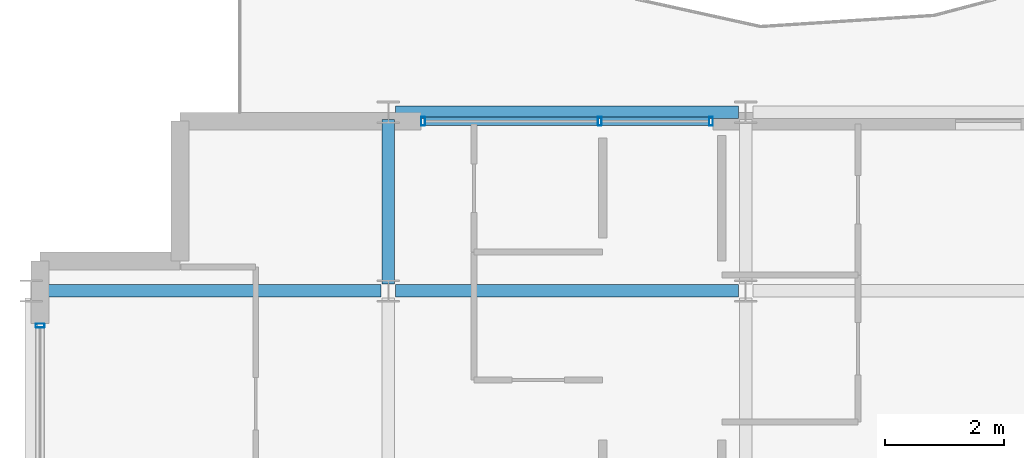
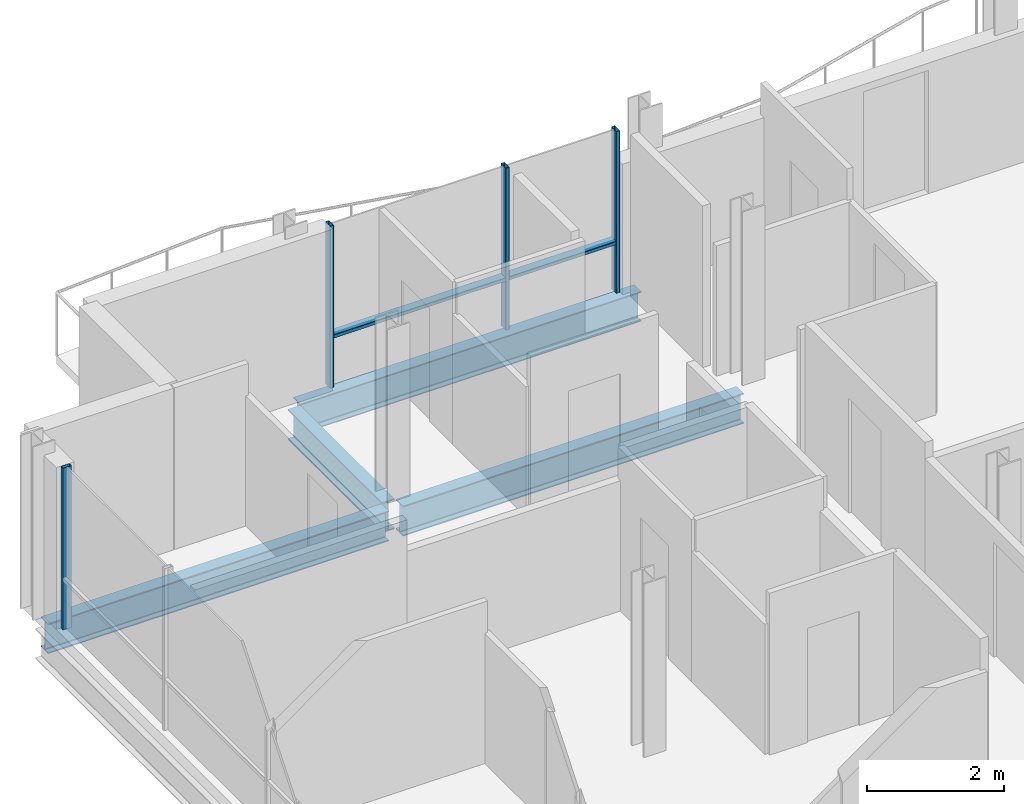
# One storey, part 8 of 29: 6 members, 4 beams, 2 elements without a shape of their own.
"""IFC4 building model written with IfcOpenShell, lengths in metres."""

from ifc_helpers import new_model, si_unit, direction, frame, origin, origin_2d, place, context, subcontext, project, spatial, hollow_rectangle, i_section, extrude, material, layer, layer_set, material_profile, profile_set, type_object, element, aggregate, save


model = new_model("IFC4")

# Units and contexts
model_context = context("Model", 3, precision=1e-05, world=origin(), true_north=direction((0.0, 1.0)))
body_context = subcontext(model_context, "Body", "Model", "MODEL_VIEW")
ifc_project = project(units=[si_unit("LENGTHUNIT", "METRE"), si_unit("AREAUNIT", "SQUARE_METRE"), si_unit("VOLUMEUNIT", "CUBIC_METRE"), si_unit("PLANEANGLEUNIT", "RADIAN"), si_unit("MASSUNIT", "GRAM", prefix="KILO")], contexts=[model_context])

# Site, building, storey
site_placement = place(None, origin())
site = spatial("IfcSite", under=ifc_project, at=site_placement, CompositionType="ELEMENT")
building_placement = place(site_placement, origin())
building = spatial("IfcBuilding", under=site, at=building_placement, Name="Brevholm Reach", CompositionType="ELEMENT")
storey_placement = place(building_placement, frame((0.0, 0.0, 201.800048828125)))
storey = spatial("IfcBuildingStorey", under=building, at=storey_placement, Name="L61", CompositionType="ELEMENT", Elevation=201.800048828125)

# Beams
ifc_material_1 = material(Name="Structural Steel S355J2", Category="steel")
ifc_material_profile_1 = material_profile(ifc_material_1, i_section(OverallWidth=0.209228515625, OverallDepth=0.533203125, WebThickness=0.010009765625, FlangeThickness=0.015625, FilletRadius=0.0126953125, at=origin_2d()), Name="UKB 533x210x92")
ifc_profile_set_1 = profile_set([ifc_material_profile_1], Name="Structural Steel S355J2")
beam_type_1 = type_object("IfcBeamType", Name="BM-SP533", PredefinedType="SPANDREL", material=ifc_profile_set_1)
beam_1_placement = place(storey_placement, frame((6.1201171875, 26.5, -0.4765625), z_axis=(1.0, 0.0, 0.0), x_axis=(0.0, 1.0, 0.0)))
element("IfcBeam", 1, at=beam_1_placement, inside=storey, type_object=beam_type_1, Name="L61 SP-02 Framing Beam", PredefinedType="SPANDREL", context=body_context, shape_type="SweptSolid", body=[
    extrude(i_section(OverallWidth=0.209228515625, OverallDepth=0.533203125, WebThickness=0.010009765625, FlangeThickness=0.015625, FilletRadius=0.0126953125, at=origin_2d()), origin(), (0.0, 0.0, 1.0), 5.759765625),
])
ifc_material_2 = material(Name="Structural Steel S355J2", Category="steel")
ifc_material_profile_2 = material_profile(ifc_material_2, i_section(OverallWidth=0.210693359375, OverallDepth=0.53955078125, WebThickness=0.01171875, FlangeThickness=0.018798828125, FilletRadius=0.0126953125, at=origin_2d()), Name="UKB 533x210x109")
ifc_profile_set_2 = profile_set([ifc_material_profile_2], Name="Structural Steel S355J2")
beam_type_2 = type_object("IfcBeamType", Name="BM-SP539", PredefinedType="SPANDREL", material=ifc_profile_set_2)
for number, where, z_axis, x_axis, name in (
    (2, (0.1201171875, 23.5, -0.479736328125), (1.0, 0.0, 0.0), (0.0, 1.0, 0.0), "L61 SP-01B Framing Beam"),
    (3, (6.1201171875, 23.5, -0.479736328125), (1.0, 0.0, 0.0), (0.0, 1.0, 0.0), "L61 SP-01B Framing Beam"),
):
    element("IfcBeam", number, at=place(storey_placement, frame(where, z_axis=z_axis, x_axis=x_axis)), inside=storey, type_object=beam_type_2, Name=name, PredefinedType="SPANDREL", context=body_context, shape_type="SweptSolid", body=[
        extrude(i_section(OverallWidth=0.210693359375, OverallDepth=0.53955078125, WebThickness=0.01171875, FlangeThickness=0.018798828125, FilletRadius=0.0126953125, at=origin_2d()), origin(), (0.0, 0.0, 1.0), 5.759765625),
    ])
beam_2_placement = place(storey_placement, frame((6.0, 23.6201171875, -0.479736328125), z_axis=(0.0, 1.0, 0.0), x_axis=(-1.0, 0.0, 0.0)))
element("IfcBeam", 4, at=beam_2_placement, inside=storey, type_object=beam_type_2, Name="L61 SP-01B Framing Beam", PredefinedType="SPANDREL", context=body_context, shape_type="SweptSolid", body=[
    extrude(i_section(OverallWidth=0.210693359375, OverallDepth=0.53955078125, WebThickness=0.01171875, FlangeThickness=0.018798828125, FilletRadius=0.0126953125, at=origin_2d()), origin(), (0.0, 0.0, 1.0), 2.759765625),
])

# Curtain wall, member
ifc_material_3 = material(Name="Dark Anodised Aluminium 6063-T6 and Solar-Control Glass", Category="aluminium")
ifc_layer = layer(ifc_material_3, 0.14990234375)
ifc_layer_set = layer_set([ifc_layer], Name="Dark Anodised Aluminium 6063-T6 and Solar-Control Glass")
curtain_wall_type = type_object("IfcCurtainWallType", Name="CW-01", PredefinedType="NOTDEFINED", material=ifc_layer_set)
curtain_wall_1_placement = place(storey_placement, origin())
curtain_wall_1 = element("IfcCurtainWall", 5, at=curtain_wall_1_placement, inside=storey, type_object=curtain_wall_type, Name="L61 Curtain Wall CW-01", PredefinedType="NOTDEFINED")
ifc_material_4 = material(Name="Dark Anodised Aluminium 6063-T6", Category="aluminium")
ifc_material_profile_3 = material_profile(ifc_material_4, hollow_rectangle(XDim=0.06494140625, YDim=0.14990234375, WallThickness=0.0048828125, InnerFilletRadius=0.0048828125, OuterFilletRadius=0.010009765625, at=origin_2d()), Name="RHS 150x65x5")
ifc_profile_set_3 = profile_set([ifc_material_profile_3], Name="Dark Anodised Aluminium 6063-T6")
member_type_1 = type_object("IfcMemberType", Name="CWM-150", PredefinedType="MULLION", material=ifc_profile_set_3)
member_1_placement = place(storey_placement, frame((0.14990234375, 22.91748046875, 0.0), z_axis=(0.0, 0.0, 1.0), x_axis=(0.0, -1.0, 0.0)))
member_1 = element("IfcMember", 6, at=member_1_placement, type_object=member_type_1, Name="CM-150 Mullion 1", PredefinedType="MULLION", context=body_context, shape_type="SweptSolid", body=[
    extrude(hollow_rectangle(XDim=0.06494140625, YDim=0.14990234375, WallThickness=0.0048828125, InnerFilletRadius=0.0048828125, OuterFilletRadius=0.010009765625, at=origin_2d()), origin(), (0.0, 0.0, 1.0), 2.889892578125),
])
aggregate(curtain_wall_1, [member_1])

# Curtain wall, members
curtain_wall_2_placement = place(storey_placement, origin())
curtain_wall_2 = element("IfcCurtainWall", 7, at=curtain_wall_2_placement, inside=storey, type_object=curtain_wall_type, Name="L61 Curtain Wall CW-01", PredefinedType="NOTDEFINED")
member_2_placement = place(storey_placement, frame((6.58251953125, 26.35009765625, 0.0), z_axis=(0.0, 0.0, 1.0), x_axis=(1.0, 0.0, 0.0)))
member_2 = element("IfcMember", 8, at=member_2_placement, type_object=member_type_1, Name="CM-150 Mullion 1", PredefinedType="MULLION", context=body_context, shape_type="SweptSolid", body=[
    extrude(hollow_rectangle(XDim=0.06494140625, YDim=0.14990234375, WallThickness=0.0048828125, InnerFilletRadius=0.0048828125, OuterFilletRadius=0.010009765625, at=origin_2d()), origin(), (0.0, 0.0, 1.0), 2.889892578125),
])
member_3_placement = place(storey_placement, frame((9.550048828125, 26.35009765625, 0.0), z_axis=(0.0, 0.0, 1.0), x_axis=(1.0, 0.0, 0.0)))
member_3 = element("IfcMember", 9, at=member_3_placement, type_object=member_type_1, Name="CM-150 Mullion 2", PredefinedType="MULLION", context=body_context, shape_type="SweptSolid", body=[
    extrude(hollow_rectangle(XDim=0.06494140625, YDim=0.14990234375, WallThickness=0.0048828125, InnerFilletRadius=0.0048828125, OuterFilletRadius=0.010009765625, at=origin_2d()), origin(), (0.0, 0.0, 1.0), 2.889892578125),
])
member_4_placement = place(storey_placement, frame((11.41748046875, 26.35009765625, 0.0), z_axis=(0.0, 0.0, 1.0), x_axis=(1.0, 0.0, 0.0)))
member_4 = element("IfcMember", 10, at=member_4_placement, type_object=member_type_1, Name="CM-150 Mullion 3", PredefinedType="MULLION", context=body_context, shape_type="SweptSolid", body=[
    extrude(hollow_rectangle(XDim=0.06494140625, YDim=0.14990234375, WallThickness=0.0048828125, InnerFilletRadius=0.0048828125, OuterFilletRadius=0.010009765625, at=origin_2d()), origin(), (0.0, 0.0, 1.0), 2.889892578125),
])
ifc_material_5 = material(Name="Dark Anodised Aluminium 6063-T6", Category="aluminium")
ifc_material_profile_4 = material_profile(ifc_material_5, hollow_rectangle(XDim=0.06494140625, YDim=0.14990234375, WallThickness=0.0048828125, InnerFilletRadius=0.0048828125, OuterFilletRadius=0.010009765625, at=origin_2d()), Name="RHS 150x65x5")
ifc_profile_set_4 = profile_set([ifc_material_profile_4], Name="Dark Anodised Aluminium 6063-T6")
member_type_2 = type_object("IfcMemberType", Name="CWT-150", PredefinedType="NOTDEFINED", material=ifc_profile_set_4)
member_5_placement = place(storey_placement, frame((6.614990234375, 26.35009765625, 0.89990234375), z_axis=(1.0, 0.0, 0.0), x_axis=(0.0, 0.0, 1.0)))
member_5 = element("IfcMember", 11, at=member_5_placement, type_object=member_type_2, Name="CT-150 Transom 1.1", ObjectType="TRANSOM", PredefinedType="USERDEFINED", context=body_context, shape_type="SweptSolid", body=[
    extrude(hollow_rectangle(XDim=0.06494140625, YDim=0.14990234375, WallThickness=0.0048828125, InnerFilletRadius=0.0048828125, OuterFilletRadius=0.010009765625, at=origin_2d()), origin(), (0.0, 0.0, 1.0), 2.902587890625),
])
member_6_placement = place(storey_placement, frame((9.58251953125, 26.35009765625, 0.89990234375), z_axis=(1.0, 0.0, 0.0), x_axis=(0.0, 0.0, 1.0)))
member_6 = element("IfcMember", 12, at=member_6_placement, type_object=member_type_2, Name="CT-150 Transom 2.1", ObjectType="TRANSOM", PredefinedType="USERDEFINED", context=body_context, shape_type="SweptSolid", body=[
    extrude(hollow_rectangle(XDim=0.06494140625, YDim=0.14990234375, WallThickness=0.0048828125, InnerFilletRadius=0.0048828125, OuterFilletRadius=0.010009765625, at=origin_2d()), origin(), (0.0, 0.0, 1.0), 1.802490234375),
])
aggregate(curtain_wall_2, [member_2, member_3, member_4, member_5, member_6])

save(model, "model.ifc")
